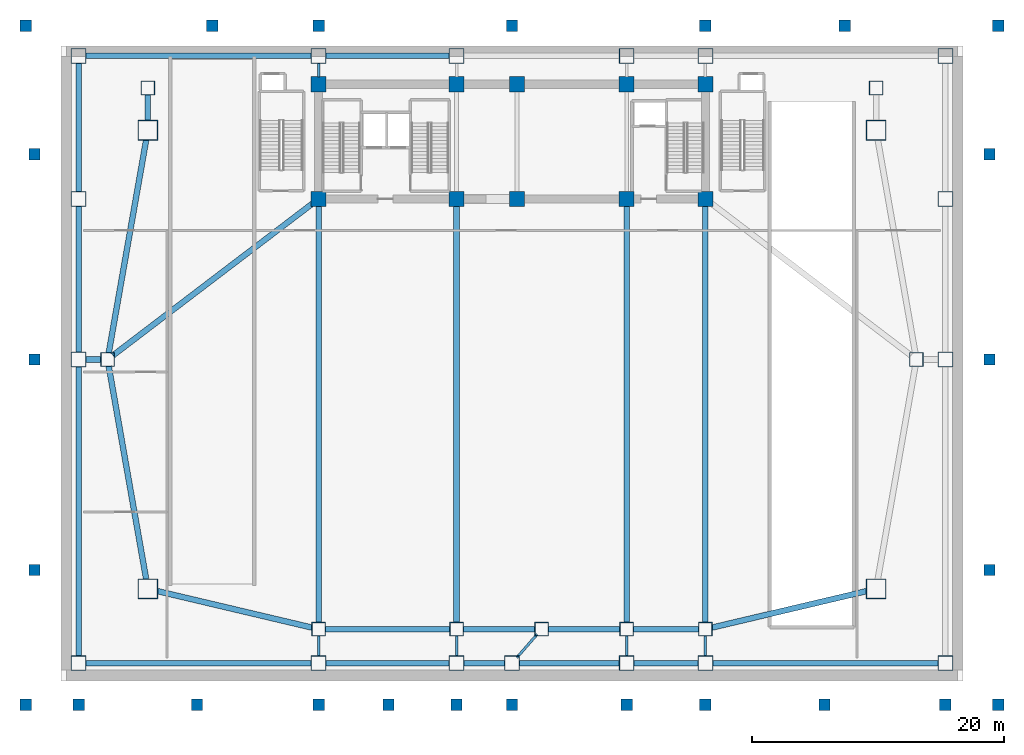
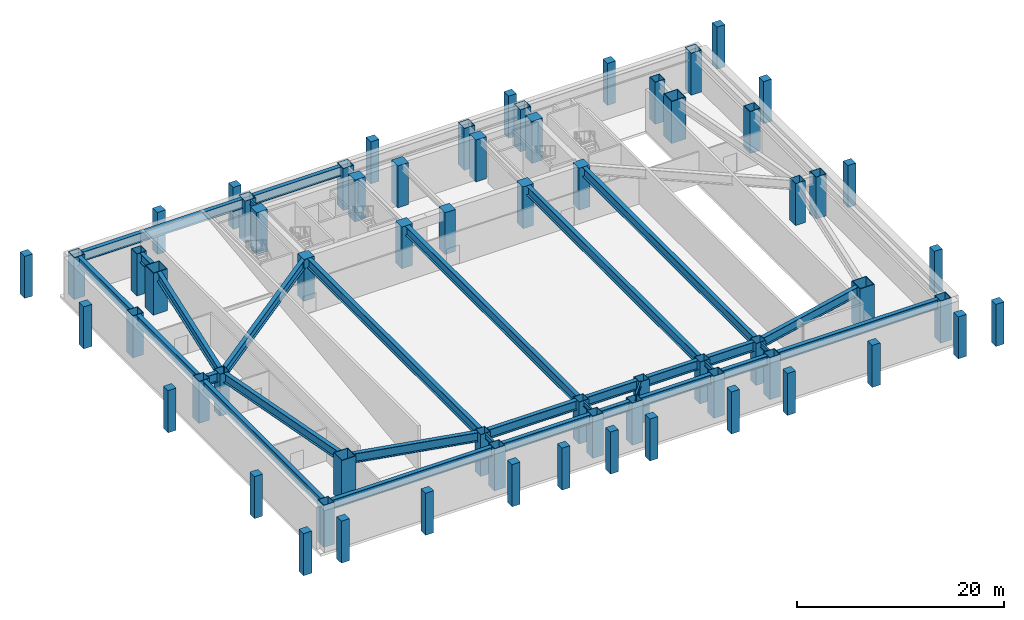
# One storey, part 1 of 6: 65 columns, 32 beams.
"""IFC4 building model written with IfcOpenShell, lengths in metres."""

from ifc_helpers import new_model, si_unit, direction, frame, origin, origin_2d, place, context, subcontext, project, spatial, rectangle, hollow_rectangle, i_section, extrude, source, transform, mapped, material, material_profile, profile_set, type_object, element, save


model = new_model("IFC4")

# Units and contexts
model_context = context("Model", 3, precision=1e-05, world=origin(), true_north=direction((0.0, 1.0)))
body_context = subcontext(model_context, "Body", "Model", "MODEL_VIEW")
ifc_project = project(units=[si_unit("LENGTHUNIT", "METRE"), si_unit("AREAUNIT", "SQUARE_METRE"), si_unit("VOLUMEUNIT", "CUBIC_METRE"), si_unit("PLANEANGLEUNIT", "RADIAN"), si_unit("MASSUNIT", "GRAM", prefix="KILO")], contexts=[model_context])

# Site, building, storey
site_placement = place(None, origin())
site = spatial("IfcSite", under=ifc_project, at=site_placement, CompositionType="ELEMENT")
building_placement = place(site_placement, origin())
building = spatial("IfcBuilding", under=site, at=building_placement, Name="Giltprow Tower", CompositionType="ELEMENT")
storey_placement = place(building_placement, frame((0.0, 0.0, -5.199951171875)))
storey = spatial("IfcBuildingStorey", under=building, at=storey_placement, Name="B01", CompositionType="ELEMENT", Elevation=-5.199951171875)

# Columns
ifc_material_1 = material(Name="Concrete C45", Category="concrete")
ifc_material_profile_1 = material_profile(ifc_material_1, rectangle(XDim=0.89990234375, YDim=0.89990234375, at=origin_2d()), Name="RC 900x900")
ifc_profile_set_1 = profile_set([ifc_material_profile_1], Name="Concrete C45")
column_type_1 = type_object("IfcColumnType", Name="PIL-PIER-RC800", PredefinedType="PILASTER", material=ifc_profile_set_1)
shared_shape_1 = source(origin(), body_context, "Body", "SweptSolid", [
    extrude(rectangle(XDim=0.89990234375, YDim=0.89990234375, at=origin_2d()), origin(), (0.0, 0.0, 1.0), 4.9599609375),
])
for number, where, z_axis, x_axis, name in (
    (1, (-3.39990234375, -2.699951171875, 0.0), (0.0, 0.0, 1.0), (1.0, 0.0, 0.0), "Promenade Grade Pier B01-01"),
    (2, (0.800048828125, -2.699951171875, 0.0), (0.0, 0.0, 1.0), (1.0, 0.0, 0.0), "Promenade Grade Pier B01-02"),
    (3, (10.199951171875, -2.699951171875, 0.0), (0.0, 0.0, 1.0), (1.0, 0.0, 0.0), "Promenade Grade Pier B01-03"),
    (4, (19.85009765625, -2.699951171875, 0.0), (0.0, 0.0, 1.0), (1.0, 0.0, 0.0), "Promenade Grade Pier B01-04"),
    (5, (25.39990234375, -2.699951171875, 0.0), (0.0, 0.0, 1.0), (1.0, 0.0, 0.0), "Promenade Grade Pier B01-05"),
    (6, (30.800048828125, -2.699951171875, 0.0), (0.0, 0.0, 1.0), (1.0, 0.0, 0.0), "Promenade Grade Pier B01-06"),
    (7, (35.199951171875, -2.699951171875, 0.0), (0.0, 0.0, 1.0), (1.0, 0.0, 0.0), "Promenade Grade Pier B01-07"),
    (8, (44.300048828125, -2.699951171875, 0.0), (0.0, 0.0, 1.0), (1.0, 0.0, 0.0), "Promenade Grade Pier B01-08"),
    (9, (50.550048828125, -2.699951171875, 0.0), (0.0, 0.0, 1.0), (1.0, 0.0, 0.0), "Promenade Grade Pier B01-09"),
    (10, (60.0, -2.699951171875, 0.0), (0.0, 0.0, 1.0), (1.0, 0.0, 0.0), "Promenade Grade Pier B01-10"),
    (11, (69.60009765625, -2.699951171875, 0.0), (0.0, 0.0, 1.0), (1.0, 0.0, 0.0), "Promenade Grade Pier B01-11"),
    (12, (73.800048828125, -2.699951171875, 0.0), (0.0, 0.0, 1.0), (1.0, 0.0, 0.0), "Promenade Grade Pier B01-12"),
    (13, (-2.699951171875, 8.0, 0.0), (0.0, 0.0, 1.0), (1.0, 0.0, 0.0), "W Apron Pier B01-1"),
    (14, (-2.699951171875, 24.699951171875, 0.0), (0.0, 0.0, 1.0), (1.0, 0.0, 0.0), "W Apron Pier B01-2"),
    (15, (-2.699951171875, 41.0, 0.0), (0.0, 0.0, 1.0), (1.0, 0.0, 0.0), "W Apron Pier B01-3"),
    (16, (73.10009765625, 8.0, 0.0), (0.0, 0.0, 1.0), (1.0, 0.0, 0.0), "E Apron Pier B01-1"),
    (17, (73.10009765625, 24.699951171875, 0.0), (0.0, 0.0, 1.0), (1.0, 0.0, 0.0), "E Apron Pier B01-2"),
    (18, (73.10009765625, 41.0, 0.0), (0.0, 0.0, 1.0), (1.0, 0.0, 0.0), "E Apron Pier B01-3"),
    (19, (-3.39990234375, 51.199951171875, 0.0), (0.0, 0.0, 1.0), (1.0, 0.0, 0.0), "North Apron Pier B01-01"),
    (20, (11.39990234375, 51.199951171875, 0.0), (0.0, 0.0, 1.0), (1.0, 0.0, 0.0), "North Apron Pier B01-02"),
    (21, (19.85009765625, 51.199951171875, 0.0), (0.0, 0.0, 1.0), (1.0, 0.0, 0.0), "North Apron Pier B01-03"),
    (22, (35.199951171875, 51.199951171875, 0.0), (0.0, 0.0, 1.0), (1.0, 0.0, 0.0), "North Apron Pier B01-04"),
    (23, (50.550048828125, 51.199951171875, 0.0), (0.0, 0.0, 1.0), (1.0, 0.0, 0.0), "North Apron Pier B01-05"),
    (24, (61.60009765625, 51.199951171875, 0.0), (0.0, 0.0, 1.0), (1.0, 0.0, 0.0), "North Apron Pier B01-06"),
    (25, (73.800048828125, 51.199951171875, 0.0), (0.0, 0.0, 1.0), (1.0, 0.0, 0.0), "North Apron Pier B01-07"),
):
    element("IfcColumn", number, at=place(storey_placement, frame(where, z_axis=z_axis, x_axis=x_axis)), inside=storey, type_object=column_type_1, Name=name, PredefinedType="PILASTER", context=body_context, shape_type="MappedRepresentation", body=[
        mapped(shared_shape_1, transform((0.0, 0.0, 0.0), x_axis=(1.0, 0.0, 0.0), y_axis=(0.0, 1.0, 0.0), z_axis=(0.0, 0.0, 1.0), scale=1.0)),
    ])
ifc_material_2 = material(Name="Concrete C60", Category="concrete")
ifc_material_profile_2 = material_profile(ifc_material_2, rectangle(XDim=1.199951171875, YDim=1.199951171875, at=origin_2d()), Name="RC 1200x1200")
ifc_profile_set_2 = profile_set([ifc_material_profile_2], Name="Concrete C60")
column_type_2 = type_object("IfcColumnType", Name="PIL-RC-1200-C60", PredefinedType="PILASTER", material=ifc_profile_set_2)
shared_shape_2 = source(origin(), body_context, "Body", "SweptSolid", [
    extrude(rectangle(XDim=1.199951171875, YDim=1.199951171875, at=origin_2d()), origin(), (0.0, 0.0, 1.0), 4.93994140625),
])
for number, where, z_axis, x_axis, name in (
    (26, (19.85009765625, 37.449951171875, 0.0), (0.0, 0.0, 1.0), (1.0, 0.0, 0.0), "B01 Core Boundary Pilaster 1-1"),
    (27, (19.85009765625, 46.550048828125, 0.0), (0.0, 0.0, 1.0), (1.0, 0.0, 0.0), "B01 Core Boundary Pilaster 1-2"),
    (28, (30.800048828125, 37.449951171875, 0.0), (0.0, 0.0, 1.0), (1.0, 0.0, 0.0), "B01 Core Boundary Pilaster 2-1"),
    (29, (30.800048828125, 46.550048828125, 0.0), (0.0, 0.0, 1.0), (1.0, 0.0, 0.0), "B01 Core Boundary Pilaster 2-2"),
    (30, (35.60009765625, 37.449951171875, 0.0), (0.0, 0.0, 1.0), (1.0, 0.0, 0.0), "B01 Core Boundary Pilaster 3-1"),
    (31, (35.60009765625, 46.550048828125, 0.0), (0.0, 0.0, 1.0), (1.0, 0.0, 0.0), "B01 Core Boundary Pilaster 3-2"),
    (32, (44.300048828125, 37.449951171875, 0.0), (0.0, 0.0, 1.0), (1.0, 0.0, 0.0), "B01 Core Boundary Pilaster 4-1"),
    (33, (44.300048828125, 46.550048828125, 0.0), (0.0, 0.0, 1.0), (1.0, 0.0, 0.0), "B01 Core Boundary Pilaster 4-2"),
    (34, (50.550048828125, 37.449951171875, 0.0), (0.0, 0.0, 1.0), (1.0, 0.0, 0.0), "B01 Core Boundary Pilaster 5-1"),
    (35, (50.550048828125, 46.550048828125, 0.0), (0.0, 0.0, 1.0), (1.0, 0.0, 0.0), "B01 Core Boundary Pilaster 5-2"),
):
    element("IfcColumn", number, at=place(storey_placement, frame(where, z_axis=z_axis, x_axis=x_axis)), inside=storey, type_object=column_type_2, Name=name, PredefinedType="PILASTER", context=body_context, shape_type="MappedRepresentation", body=[
        mapped(shared_shape_2, transform((0.0, 0.0, 0.0), x_axis=(1.0, 0.0, 0.0), y_axis=(0.0, 1.0, 0.0), z_axis=(0.0, 0.0, 1.0), scale=1.0)),
    ])
ifc_material_3 = material(Name="Structural steel Q420GJC", Category="steel")
ifc_material_profile_3 = material_profile(ifc_material_3, hollow_rectangle(XDim=1.60009765625, YDim=1.60009765625, WallThickness=0.074951171875, at=origin_2d()), Name="BOX 1600x1600x75")
ifc_profile_set_3 = profile_set([ifc_material_profile_3], Name="Structural steel Q420GJC")
column_type_3 = type_object("IfcColumnType", Name="COL-BOX-1600x1600x75", PredefinedType="COLUMN", material=ifc_profile_set_3)
shared_shape_3 = source(origin(), body_context, "Body", "SweptSolid", [
    extrude(hollow_rectangle(XDim=1.60009765625, YDim=1.60009765625, WallThickness=0.074951171875, at=origin_2d()), origin(), (0.0, 0.0, 1.0), 4.93994140625),
])
for number, where, z_axis, x_axis, name in (
    (36, (6.300048828125, 6.5, 0.0), (0.0, 0.0, 1.0), (1.0, 0.0, 0.0), "B01 Continuous Tower Column MC_SW"),
    (37, (64.10009765625, 6.5, 0.0), (0.0, 0.0, 1.0), (1.0, 0.0, 0.0), "B01 Continuous Tower Column MC_SE"),
    (38, (6.300048828125, 42.89990234375, 0.0), (0.0, 0.0, 1.0), (1.0, 0.0, 0.0), "B01 Continuous Tower Column MC_NW"),
    (39, (64.10009765625, 42.89990234375, 0.0), (0.0, 0.0, 1.0), (1.0, 0.0, 0.0), "B01 Continuous Tower Column MC_NE"),
):
    element("IfcColumn", number, at=place(storey_placement, frame(where, z_axis=z_axis, x_axis=x_axis)), inside=storey, type_object=column_type_3, Name=name, PredefinedType="COLUMN", context=body_context, shape_type="MappedRepresentation", body=[
        mapped(shared_shape_3, transform((0.0, 0.0, 0.0), x_axis=(1.0, 0.0, 0.0), y_axis=(0.0, 1.0, 0.0), z_axis=(0.0, 0.0, 1.0), scale=1.0)),
    ])
ifc_material_profile_4 = material_profile(ifc_material_3, hollow_rectangle(XDim=1.10009765625, YDim=1.10009765625, WallThickness=0.050048828125, at=origin_2d()), Name="BOX 1100x1100x50")
ifc_profile_set_4 = profile_set([ifc_material_profile_4], Name="Structural steel Q420GJC")
column_type_4 = type_object("IfcColumnType", Name="COL-BOX-1100x1100x50", PredefinedType="COLUMN", material=ifc_profile_set_4)
shared_shape_4 = source(origin(), body_context, "Body", "SweptSolid", [
    extrude(hollow_rectangle(XDim=1.10009765625, YDim=1.10009765625, WallThickness=0.050048828125, at=origin_2d()), origin(), (0.0, 0.0, 1.0), 4.93994140625),
])
for number, where, z_axis, x_axis, name in (
    (40, (19.85009765625, 3.300048828125, 0.0), (0.0, 0.0, 1.0), (1.0, 0.0, 0.0), "B01 Continuous Tower Column S1"),
    (41, (30.800048828125, 3.300048828125, 0.0), (0.0, 0.0, 1.0), (1.0, 0.0, 0.0), "B01 Continuous Tower Column S2"),
    (42, (37.550048828125, 3.300048828125, 0.0), (0.0, 0.0, 1.0), (1.0, 0.0, 0.0), "B01 Continuous Tower Column S_MID"),
    (43, (44.300048828125, 3.300048828125, 0.0), (0.0, 0.0, 1.0), (1.0, 0.0, 0.0), "B01 Continuous Tower Column S3"),
    (44, (50.550048828125, 3.300048828125, 0.0), (0.0, 0.0, 1.0), (1.0, 0.0, 0.0), "B01 Continuous Tower Column S4"),
    (45, (3.10009765625, 24.699951171875, 0.0), (0.0, 0.0, 1.0), (1.0, 0.0, 0.0), "B01 Continuous Tower Column W_MID"),
    (46, (67.300048828125, 24.699951171875, 0.0), (0.0, 0.0, 1.0), (1.0, 0.0, 0.0), "B01 Continuous Tower Column E_MID"),
    (47, (6.300048828125, 46.25, 0.0), (0.0, 0.0, 1.0), (1.0, 0.0, 0.0), "B01 Continuous Tower Column N_W"),
    (48, (64.10009765625, 46.25, 0.0), (0.0, 0.0, 1.0), (1.0, 0.0, 0.0), "B01 Continuous Tower Column N_E"),
):
    element("IfcColumn", number, at=place(storey_placement, frame(where, z_axis=z_axis, x_axis=x_axis)), inside=storey, type_object=column_type_4, Name=name, PredefinedType="COLUMN", context=body_context, shape_type="MappedRepresentation", body=[
        mapped(shared_shape_4, transform((0.0, 0.0, 0.0), x_axis=(1.0, 0.0, 0.0), y_axis=(0.0, 1.0, 0.0), z_axis=(0.0, 0.0, 1.0), scale=1.0)),
    ])
ifc_material_profile_5 = material_profile(ifc_material_3, hollow_rectangle(XDim=1.199951171875, YDim=1.199951171875, WallThickness=0.054931640625, at=origin_2d()), Name="BOX 1200x1200x55")
ifc_profile_set_5 = profile_set([ifc_material_profile_5], Name="Structural steel Q420GJC")
column_type_5 = type_object("IfcColumnType", Name="COL-BOX-1200x1200x55", PredefinedType="COLUMN", material=ifc_profile_set_5)
shared_shape_5 = source(origin(), body_context, "Body", "SweptSolid", [
    extrude(hollow_rectangle(XDim=1.199951171875, YDim=1.199951171875, WallThickness=0.054931640625, at=origin_2d()), origin(), (0.0, 0.0, 1.0), 4.93994140625),
])
for number, where, z_axis, x_axis, name in (
    (49, (0.800048828125, 0.60009765625, 0.0), (0.0, 0.0, 1.0), (1.0, 0.0, 0.0), "B01 Podium Column (0.8,0.6)"),
    (50, (19.85009765625, 0.60009765625, 0.0), (0.0, 0.0, 1.0), (1.0, 0.0, 0.0), "B01 Podium Column (19.9,0.6)"),
    (51, (30.800048828125, 0.60009765625, 0.0), (0.0, 0.0, 1.0), (1.0, 0.0, 0.0), "B01 Podium Column (30.8,0.6)"),
    (52, (35.199951171875, 0.60009765625, 0.0), (0.0, 0.0, 1.0), (1.0, 0.0, 0.0), "B01 Podium Column (35.2,0.6)"),
    (53, (44.300048828125, 0.60009765625, 0.0), (0.0, 0.0, 1.0), (1.0, 0.0, 0.0), "B01 Podium Column (44.3,0.6)"),
    (54, (50.550048828125, 0.60009765625, 0.0), (0.0, 0.0, 1.0), (1.0, 0.0, 0.0), "B01 Podium Column (50.5,0.6)"),
    (55, (69.60009765625, 0.60009765625, 0.0), (0.0, 0.0, 1.0), (1.0, 0.0, 0.0), "B01 Podium Column (69.6,0.6)"),
    (56, (0.800048828125, 24.699951171875, 0.0), (0.0, 0.0, 1.0), (1.0, 0.0, 0.0), "B01 Podium Column (0.8,24.7)"),
    (57, (69.60009765625, 24.699951171875, 0.0), (0.0, 0.0, 1.0), (1.0, 0.0, 0.0), "B01 Podium Column (69.6,24.7)"),
    (58, (0.800048828125, 37.449951171875, 0.0), (0.0, 0.0, 1.0), (1.0, 0.0, 0.0), "B01 Podium Column (0.8,37.5)"),
    (59, (69.60009765625, 37.449951171875, 0.0), (0.0, 0.0, 1.0), (1.0, 0.0, 0.0), "B01 Podium Column (69.6,37.5)"),
    (60, (0.800048828125, 48.800048828125, 0.0), (0.0, 0.0, 1.0), (1.0, 0.0, 0.0), "B01 Podium Column (0.8,48.8)"),
    (61, (19.85009765625, 48.800048828125, 0.0), (0.0, 0.0, 1.0), (1.0, 0.0, 0.0), "B01 Podium Column (19.9,48.8)"),
    (62, (30.800048828125, 48.800048828125, 0.0), (0.0, 0.0, 1.0), (1.0, 0.0, 0.0), "B01 Podium Column (30.8,48.8)"),
    (63, (44.300048828125, 48.800048828125, 0.0), (0.0, 0.0, 1.0), (1.0, 0.0, 0.0), "B01 Podium Column (44.3,48.8)"),
    (64, (50.550048828125, 48.800048828125, 0.0), (0.0, 0.0, 1.0), (1.0, 0.0, 0.0), "B01 Podium Column (50.5,48.8)"),
    (65, (69.60009765625, 48.800048828125, 0.0), (0.0, 0.0, 1.0), (1.0, 0.0, 0.0), "B01 Podium Column (69.6,48.8)"),
):
    element("IfcColumn", number, at=place(storey_placement, frame(where, z_axis=z_axis, x_axis=x_axis)), inside=storey, type_object=column_type_5, Name=name, PredefinedType="COLUMN", context=body_context, shape_type="MappedRepresentation", body=[
        mapped(shared_shape_5, transform((0.0, 0.0, 0.0), x_axis=(1.0, 0.0, 0.0), y_axis=(0.0, 1.0, 0.0), z_axis=(0.0, 0.0, 1.0), scale=1.0)),
    ])

# Beams
ifc_material_profile_6 = material_profile(ifc_material_3, i_section(OverallWidth=0.449951171875, OverallDepth=1.10009765625, WebThickness=0.02587890625, FlangeThickness=0.0419921875, at=origin_2d()), Name="WH 1100x450x26x42")
ifc_profile_set_6 = profile_set([ifc_material_profile_6], Name="Structural steel Q420GJC")
beam_type_1 = type_object("IfcBeamType", Name="BM-GIRD-WH1100", PredefinedType="BEAM", material=ifc_profile_set_6)
shared_shape_6 = source(origin(), body_context, "Body", "SweptSolid", [
    extrude(i_section(OverallWidth=0.449951171875, OverallDepth=1.10009765625, WebThickness=0.02587890625, FlangeThickness=0.0419921875, at=origin_2d()), origin(), (0.0, 0.0, 1.0), 17.8798828125),
])
for number, where, z_axis, x_axis, name in (
    (66, (1.385009765625, 0.60009765625, 4.389892578125), (1.0, 0.0, 0.0), (0.0, 1.0, 0.0), "B01 Podium South Edge Girder"),
    (67, (51.135009765625, 0.60009765625, 4.389892578125), (1.0, 0.0, 0.0), (0.0, 1.0, 0.0), "B01 Podium South Edge Girder"),
    (68, (1.385009765625, 48.800048828125, 4.389892578125), (1.0, 0.0, 0.0), (0.0, 1.0, 0.0), "B01 Podium North Edge Girder"),
):
    element("IfcBeam", number, at=place(storey_placement, frame(where, z_axis=z_axis, x_axis=x_axis)), inside=storey, type_object=beam_type_1, Name=name, PredefinedType="BEAM", context=body_context, shape_type="MappedRepresentation", body=[
        mapped(shared_shape_6, transform((0.0, 0.0, 0.0), x_axis=(1.0, 0.0, 0.0), y_axis=(0.0, 1.0, 0.0), z_axis=(0.0, 0.0, 1.0), scale=1.0)),
    ])
shared_shape_7 = source(origin(), body_context, "Body", "SweptSolid", [
    extrude(i_section(OverallWidth=0.449951171875, OverallDepth=1.10009765625, WebThickness=0.02587890625, FlangeThickness=0.0419921875, at=origin_2d()), origin(), (0.0, 0.0, 1.0), 9.780029296875),
])
for number, where, z_axis, x_axis, name in (
    (69, (20.43505859375, 0.60009765625, 4.389892578125), (1.0, 0.0, 0.0), (0.0, 1.0, 0.0), "B01 Podium South Edge Girder"),
    (70, (20.43505859375, 48.800048828125, 4.389892578125), (1.0, 0.0, 0.0), (0.0, 1.0, 0.0), "B01 Podium North Edge Girder"),
):
    element("IfcBeam", number, at=place(storey_placement, frame(where, z_axis=z_axis, x_axis=x_axis)), inside=storey, type_object=beam_type_1, Name=name, PredefinedType="BEAM", context=body_context, shape_type="MappedRepresentation", body=[
        mapped(shared_shape_7, transform((0.0, 0.0, 0.0), x_axis=(1.0, 0.0, 0.0), y_axis=(0.0, 1.0, 0.0), z_axis=(0.0, 0.0, 1.0), scale=1.0)),
    ])
shared_shape_8 = source(origin(), body_context, "Body", "SweptSolid", [
    extrude(i_section(OverallWidth=0.449951171875, OverallDepth=1.10009765625, WebThickness=0.02587890625, FlangeThickness=0.0419921875, at=origin_2d()), origin(), (0.0, 0.0, 1.0), 3.22998046875),
])
beam_1_placement = place(storey_placement, frame((31.385009765625, 0.60009765625, 4.389892578125), z_axis=(1.0, 0.0, 0.0), x_axis=(0.0, 1.0, 0.0)))
element("IfcBeam", 71, at=beam_1_placement, inside=storey, type_object=beam_type_1, Name="B01 Podium South Edge Girder", PredefinedType="BEAM", context=body_context, shape_type="MappedRepresentation", body=[
    mapped(shared_shape_8, transform((0.0, 0.0, 0.0), x_axis=(1.0, 0.0, 0.0), y_axis=(0.0, 1.0, 0.0), z_axis=(0.0, 0.0, 1.0), scale=1.0)),
])
shared_shape_9 = source(origin(), body_context, "Body", "SweptSolid", [
    extrude(i_section(OverallWidth=0.449951171875, OverallDepth=1.10009765625, WebThickness=0.02587890625, FlangeThickness=0.0419921875, at=origin_2d()), origin(), (0.0, 0.0, 1.0), 7.93017578125),
])
beam_2_placement = place(storey_placement, frame((35.784912109375, 0.60009765625, 4.389892578125), z_axis=(1.0, 0.0, 0.0), x_axis=(0.0, 1.0, 0.0)))
element("IfcBeam", 72, at=beam_2_placement, inside=storey, type_object=beam_type_1, Name="B01 Podium South Edge Girder", PredefinedType="BEAM", context=body_context, shape_type="MappedRepresentation", body=[
    mapped(shared_shape_9, transform((0.0, 0.0, 0.0), x_axis=(1.0, 0.0, 0.0), y_axis=(0.0, 1.0, 0.0), z_axis=(0.0, 0.0, 1.0), scale=1.0)),
])
shared_shape_10 = source(origin(), body_context, "Body", "SweptSolid", [
    extrude(i_section(OverallWidth=0.449951171875, OverallDepth=1.10009765625, WebThickness=0.02587890625, FlangeThickness=0.0419921875, at=origin_2d()), origin(), (0.0, 0.0, 1.0), 5.080078125),
])
beam_3_placement = place(storey_placement, frame((44.885009765625, 0.60009765625, 4.389892578125), z_axis=(1.0, 0.0, 0.0), x_axis=(0.0, 1.0, 0.0)))
element("IfcBeam", 73, at=beam_3_placement, inside=storey, type_object=beam_type_1, Name="B01 Podium South Edge Girder", PredefinedType="BEAM", context=body_context, shape_type="MappedRepresentation", body=[
    mapped(shared_shape_10, transform((0.0, 0.0, 0.0), x_axis=(1.0, 0.0, 0.0), y_axis=(0.0, 1.0, 0.0), z_axis=(0.0, 0.0, 1.0), scale=1.0)),
])
shared_shape_11 = source(origin(), body_context, "Body", "SweptSolid", [
    extrude(i_section(OverallWidth=0.449951171875, OverallDepth=1.10009765625, WebThickness=0.02587890625, FlangeThickness=0.0419921875, at=origin_2d()), origin(), (0.0, 0.0, 1.0), 22.929931640625),
])
beam_4_placement = place(storey_placement, frame((0.800048828125, 1.18505859375, 4.389892578125), z_axis=(0.0, 1.0, 0.0), x_axis=(-1.0, 0.0, 0.0)))
element("IfcBeam", 74, at=beam_4_placement, inside=storey, type_object=beam_type_1, Name="B01 Podium Side Girder", PredefinedType="BEAM", context=body_context, shape_type="MappedRepresentation", body=[
    mapped(shared_shape_11, transform((0.0, 0.0, 0.0), x_axis=(1.0, 0.0, 0.0), y_axis=(0.0, 1.0, 0.0), z_axis=(0.0, 0.0, 1.0), scale=1.0)),
])
shared_shape_12 = source(origin(), body_context, "Body", "SweptSolid", [
    extrude(i_section(OverallWidth=0.449951171875, OverallDepth=1.10009765625, WebThickness=0.02587890625, FlangeThickness=0.0419921875, at=origin_2d()), origin(), (0.0, 0.0, 1.0), 11.580078125),
])
beam_5_placement = place(storey_placement, frame((0.800048828125, 25.284912109375, 4.389892578125), z_axis=(0.0, 1.0, 0.0), x_axis=(-1.0, 0.0, 0.0)))
element("IfcBeam", 75, at=beam_5_placement, inside=storey, type_object=beam_type_1, Name="B01 Podium Side Girder", PredefinedType="BEAM", context=body_context, shape_type="MappedRepresentation", body=[
    mapped(shared_shape_12, transform((0.0, 0.0, 0.0), x_axis=(1.0, 0.0, 0.0), y_axis=(0.0, 1.0, 0.0), z_axis=(0.0, 0.0, 1.0), scale=1.0)),
])
shared_shape_13 = source(origin(), body_context, "Body", "SweptSolid", [
    extrude(i_section(OverallWidth=0.449951171875, OverallDepth=1.10009765625, WebThickness=0.02587890625, FlangeThickness=0.0419921875, at=origin_2d()), origin(), (0.0, 0.0, 1.0), 10.18017578125),
])
beam_6_placement = place(storey_placement, frame((0.800048828125, 38.034912109375, 4.389892578125), z_axis=(0.0, 1.0, 0.0), x_axis=(-1.0, 0.0, 0.0)))
element("IfcBeam", 76, at=beam_6_placement, inside=storey, type_object=beam_type_1, Name="B01 Podium Side Girder", PredefinedType="BEAM", context=body_context, shape_type="MappedRepresentation", body=[
    mapped(shared_shape_13, transform((0.0, 0.0, 0.0), x_axis=(1.0, 0.0, 0.0), y_axis=(0.0, 1.0, 0.0), z_axis=(0.0, 0.0, 1.0), scale=1.0)),
])
shared_shape_14 = source(origin(), body_context, "Body", "SweptSolid", [
    extrude(i_section(OverallWidth=0.449951171875, OverallDepth=1.10009765625, WebThickness=0.02587890625, FlangeThickness=0.0419921875, at=origin_2d()), origin(), (0.0, 0.0, 1.0), 12.6025390625),
])
beam_7_placement = place(storey_placement, frame((7.06396484375, 6.320068359375, 4.389892578125), z_axis=(0.973221185684, -0.22987066741, 0.0), x_axis=(0.22987066741, 0.973221185684, 0.0)))
element("IfcBeam", 77, at=beam_7_placement, inside=storey, type_object=beam_type_1, Name="B01 Tower Base Ring Girder 1", PredefinedType="BEAM", context=body_context, shape_type="MappedRepresentation", body=[
    mapped(shared_shape_14, transform((0.0, 0.0, 0.0), x_axis=(1.0, 0.0, 0.0), y_axis=(0.0, 1.0, 0.0), z_axis=(0.0, 0.0, 1.0), scale=1.0)),
])
shared_shape_15 = source(origin(), body_context, "Body", "SweptSolid", [
    extrude(i_section(OverallWidth=0.449951171875, OverallDepth=1.10009765625, WebThickness=0.02587890625, FlangeThickness=0.0419921875, at=origin_2d()), origin(), (0.0, 0.0, 1.0), 9.8798828125),
])
beam_8_placement = place(storey_placement, frame((20.385009765625, 3.300048828125, 4.389892578125), z_axis=(1.0, 0.0, 0.0), x_axis=(0.0, 1.0, 0.0)))
element("IfcBeam", 78, at=beam_8_placement, inside=storey, type_object=beam_type_1, Name="B01 Tower Base Ring Girder 2", PredefinedType="BEAM", context=body_context, shape_type="MappedRepresentation", body=[
    mapped(shared_shape_15, transform((0.0, 0.0, 0.0), x_axis=(1.0, 0.0, 0.0), y_axis=(0.0, 1.0, 0.0), z_axis=(0.0, 0.0, 1.0), scale=1.0)),
])
shared_shape_16 = source(origin(), body_context, "Body", "SweptSolid", [
    extrude(i_section(OverallWidth=0.449951171875, OverallDepth=1.10009765625, WebThickness=0.02587890625, FlangeThickness=0.0419921875, at=origin_2d()), origin(), (0.0, 0.0, 1.0), 5.679931640625),
])
for number, where, z_axis, x_axis, name in (
    (79, (31.3349609375, 3.300048828125, 4.389892578125), (1.0, 0.0, 0.0), (0.0, 1.0, 0.0), "B01 Tower Base Ring Girder 3"),
    (80, (38.0849609375, 3.300048828125, 4.389892578125), (1.0, 0.0, 0.0), (0.0, 1.0, 0.0), "B01 Tower Base Ring Girder 4"),
):
    element("IfcBeam", number, at=place(storey_placement, frame(where, z_axis=z_axis, x_axis=x_axis)), inside=storey, type_object=beam_type_1, Name=name, PredefinedType="BEAM", context=body_context, shape_type="MappedRepresentation", body=[
        mapped(shared_shape_16, transform((0.0, 0.0, 0.0), x_axis=(1.0, 0.0, 0.0), y_axis=(0.0, 1.0, 0.0), z_axis=(0.0, 0.0, 1.0), scale=1.0)),
    ])
shared_shape_17 = source(origin(), body_context, "Body", "SweptSolid", [
    extrude(i_section(OverallWidth=0.449951171875, OverallDepth=1.10009765625, WebThickness=0.02587890625, FlangeThickness=0.0419921875, at=origin_2d()), origin(), (0.0, 0.0, 1.0), 5.179931640625),
])
beam_9_placement = place(storey_placement, frame((44.8349609375, 3.300048828125, 4.389892578125), z_axis=(1.0, 0.0, 0.0), x_axis=(0.0, 1.0, 0.0)))
element("IfcBeam", 81, at=beam_9_placement, inside=storey, type_object=beam_type_1, Name="B01 Tower Base Ring Girder 5", PredefinedType="BEAM", context=body_context, shape_type="MappedRepresentation", body=[
    mapped(shared_shape_17, transform((0.0, 0.0, 0.0), x_axis=(1.0, 0.0, 0.0), y_axis=(0.0, 1.0, 0.0), z_axis=(0.0, 0.0, 1.0), scale=1.0)),
])
shared_shape_18 = source(origin(), body_context, "Body", "SweptSolid", [
    extrude(i_section(OverallWidth=0.449951171875, OverallDepth=1.10009765625, WebThickness=0.02587890625, FlangeThickness=0.0419921875, at=origin_2d()), origin(), (0.0, 0.0, 1.0), 12.602294921875),
])
beam_10_placement = place(storey_placement, frame((51.071044921875, 3.423095703125, 4.389892578125), z_axis=(0.973220162017, 0.229875001344, 0.0), x_axis=(-0.229875001344, 0.973220162017, 0.0)))
element("IfcBeam", 82, at=beam_10_placement, inside=storey, type_object=beam_type_1, Name="B01 Tower Base Ring Girder 6", PredefinedType="BEAM", context=body_context, shape_type="MappedRepresentation", body=[
    mapped(shared_shape_18, transform((0.0, 0.0, 0.0), x_axis=(1.0, 0.0, 0.0), y_axis=(0.0, 1.0, 0.0), z_axis=(0.0, 0.0, 1.0), scale=1.0)),
])
shared_shape_19 = source(origin(), body_context, "Body", "SweptSolid", [
    extrude(i_section(OverallWidth=0.449951171875, OverallDepth=1.10009765625, WebThickness=0.02587890625, FlangeThickness=0.0419921875, at=origin_2d()), origin(), (0.0, 0.0, 1.0), 17.1591796875),
])
beam_11_placement = place(storey_placement, frame((3.193115234375, 24.173095703125, 4.389892578125), z_axis=(0.173139216532, -0.984897360997, 0.0), x_axis=(0.984897360997, 0.173139216532, 0.0)))
element("IfcBeam", 83, at=beam_11_placement, inside=storey, type_object=beam_type_1, Name="B01 Tower Base Ring Girder 12", PredefinedType="BEAM", context=body_context, shape_type="MappedRepresentation", body=[
    mapped(shared_shape_19, transform((0.0, 0.0, 0.0), x_axis=(1.0, 0.0, 0.0), y_axis=(0.0, 1.0, 0.0), z_axis=(0.0, 0.0, 1.0), scale=1.0)),
])
shared_shape_20 = source(origin(), body_context, "Body", "SweptSolid", [
    extrude(i_section(OverallWidth=0.449951171875, OverallDepth=1.10009765625, WebThickness=0.02587890625, FlangeThickness=0.0419921875, at=origin_2d()), origin(), (0.0, 0.0, 1.0), 17.158935546875),
])
beam_12_placement = place(storey_placement, frame((6.1640625, 42.126953125, 4.389892578125), z_axis=(-0.173141642767, -0.984896934476, 0.0), x_axis=(0.984896934476, -0.173141642767, 0.0)))
element("IfcBeam", 84, at=beam_12_placement, inside=storey, type_object=beam_type_1, Name="B01 Tower Base Ring Girder 11", PredefinedType="BEAM", context=body_context, shape_type="MappedRepresentation", body=[
    mapped(shared_shape_20, transform((0.0, 0.0, 0.0), x_axis=(1.0, 0.0, 0.0), y_axis=(0.0, 1.0, 0.0), z_axis=(0.0, 0.0, 1.0), scale=1.0)),
])
shared_shape_21 = source(origin(), body_context, "Body", "SweptSolid", [
    extrude(i_section(OverallWidth=0.449951171875, OverallDepth=1.10009765625, WebThickness=0.02587890625, FlangeThickness=0.0419921875, at=origin_2d()), origin(), (0.0, 0.0, 1.0), 2.030029296875),
])
beam_13_placement = place(storey_placement, frame((6.300048828125, 45.715087890625, 4.389892578125), z_axis=(0.0, -1.0, 0.0), x_axis=(1.0, 0.0, 0.0)))
element("IfcBeam", 85, at=beam_13_placement, inside=storey, type_object=beam_type_1, Name="B01 Tower Base Ring Girder 10", PredefinedType="BEAM", context=body_context, shape_type="MappedRepresentation", body=[
    mapped(shared_shape_21, transform((0.0, 0.0, 0.0), x_axis=(1.0, 0.0, 0.0), y_axis=(0.0, 1.0, 0.0), z_axis=(0.0, 0.0, 1.0), scale=1.0)),
])
shared_shape_22 = source(origin(), body_context, "Body", "SweptSolid", [
    extrude(i_section(OverallWidth=0.449951171875, OverallDepth=1.10009765625, WebThickness=0.02587890625, FlangeThickness=0.0419921875, at=origin_2d()), origin(), (0.0, 0.0, 1.0), 33.030029296875),
])
for number, where, z_axis, x_axis, name in (
    (86, (19.85009765625, 3.8349609375, 4.389892578125), (0.0, 1.0, 0.0), (-1.0, 0.0, 0.0), "B01 Primary Podium Span Girder S1"),
    (87, (30.800048828125, 3.8349609375, 4.389892578125), (0.0, 1.0, 0.0), (-1.0, 0.0, 0.0), "B01 Primary Podium Span Girder S2"),
    (88, (44.300048828125, 3.8349609375, 4.389892578125), (0.0, 1.0, 0.0), (-1.0, 0.0, 0.0), "B01 Primary Podium Span Girder S3"),
    (89, (50.550048828125, 3.8349609375, 4.389892578125), (0.0, 1.0, 0.0), (-1.0, 0.0, 0.0), "B01 Primary Podium Span Girder S4"),
):
    element("IfcBeam", number, at=place(storey_placement, frame(where, z_axis=z_axis, x_axis=x_axis)), inside=storey, type_object=beam_type_1, Name=name, PredefinedType="BEAM", context=body_context, shape_type="MappedRepresentation", body=[
        mapped(shared_shape_22, transform((0.0, 0.0, 0.0), x_axis=(1.0, 0.0, 0.0), y_axis=(0.0, 1.0, 0.0), z_axis=(0.0, 0.0, 1.0), scale=1.0)),
    ])
ifc_material_4 = material(Name="Structural steel Q355B", Category="steel")
ifc_material_profile_7 = material_profile(ifc_material_4, i_section(OverallWidth=0.199951171875, OverallDepth=0.60009765625, WebThickness=0.010986328125, FlangeThickness=0.01708984375, at=origin_2d()), Name="HN 600x200x11x17")
ifc_profile_set_7 = profile_set([ifc_material_profile_7], Name="Structural steel Q355B")
beam_type_2 = type_object("IfcBeamType", Name="BM-GIRD-HN600", PredefinedType="BEAM", material=ifc_profile_set_7)
shared_shape_23 = source(origin(), body_context, "Body", "SweptSolid", [
    extrude(i_section(OverallWidth=0.199951171875, OverallDepth=0.60009765625, WebThickness=0.010986328125, FlangeThickness=0.01708984375, at=origin_2d()), origin(), (0.0, 0.0, 1.0), 1.579833984375),
])
for number, where, z_axis, x_axis, name in (
    (90, (19.85009765625, 1.18505859375, 4.639892578125), (0.0, 1.0, 0.0), (-1.0, 0.0, 0.0), "B01 South Perimeter Tie S1"),
    (91, (30.800048828125, 1.18505859375, 4.639892578125), (0.0, 1.0, 0.0), (-1.0, 0.0, 0.0), "B01 South Perimeter Tie S2"),
    (92, (44.300048828125, 1.18505859375, 4.639892578125), (0.0, 1.0, 0.0), (-1.0, 0.0, 0.0), "B01 South Perimeter Tie S3"),
    (93, (50.550048828125, 1.18505859375, 4.639892578125), (0.0, 1.0, 0.0), (-1.0, 0.0, 0.0), "B01 South Perimeter Tie S4"),
):
    element("IfcBeam", number, at=place(storey_placement, frame(where, z_axis=z_axis, x_axis=x_axis)), inside=storey, type_object=beam_type_2, Name=name, PredefinedType="BEAM", context=body_context, shape_type="MappedRepresentation", body=[
        mapped(shared_shape_23, transform((0.0, 0.0, 0.0), x_axis=(1.0, 0.0, 0.0), y_axis=(0.0, 1.0, 0.0), z_axis=(0.0, 0.0, 1.0), scale=1.0)),
    ])
shared_shape_24 = source(origin(), body_context, "Body", "SweptSolid", [
    extrude(i_section(OverallWidth=0.199951171875, OverallDepth=0.60009765625, WebThickness=0.010986328125, FlangeThickness=0.01708984375, at=origin_2d()), origin(), (0.0, 0.0, 1.0), 1.080078125),
])
beam_14_placement = place(storey_placement, frame((19.85009765625, 47.135009765625, 4.639892578125), z_axis=(0.0, 1.0, 0.0), x_axis=(-1.0, 0.0, 0.0)))
element("IfcBeam", 94, at=beam_14_placement, inside=storey, type_object=beam_type_2, Name="B01 North Perimeter Tie S1", PredefinedType="BEAM", context=body_context, shape_type="MappedRepresentation", body=[
    mapped(shared_shape_24, transform((0.0, 0.0, 0.0), x_axis=(1.0, 0.0, 0.0), y_axis=(0.0, 1.0, 0.0), z_axis=(0.0, 0.0, 1.0), scale=1.0)),
])
shared_shape_25 = source(origin(), body_context, "Body", "SweptSolid", [
    extrude(i_section(OverallWidth=0.199951171875, OverallDepth=0.60009765625, WebThickness=0.010986328125, FlangeThickness=0.01708984375, at=origin_2d()), origin(), (0.0, 0.0, 1.0), 2.45947265625),
])
beam_15_placement = place(storey_placement, frame((35.583984375, 1.041015625, 4.639892578125), z_axis=(0.656633245485, 0.754210037671, 0.0), x_axis=(-0.754210037671, 0.656633245485, 0.0)))
element("IfcBeam", 95, at=beam_15_placement, inside=storey, type_object=beam_type_2, Name="B01 South Mid Tie", PredefinedType="BEAM", context=body_context, shape_type="MappedRepresentation", body=[
    mapped(shared_shape_25, transform((0.0, 0.0, 0.0), x_axis=(1.0, 0.0, 0.0), y_axis=(0.0, 1.0, 0.0), z_axis=(0.0, 0.0, 1.0), scale=1.0)),
])
shared_shape_26 = source(origin(), body_context, "Body", "SweptSolid", [
    extrude(i_section(OverallWidth=0.449951171875, OverallDepth=1.10009765625, WebThickness=0.02587890625, FlangeThickness=0.0419921875, at=origin_2d()), origin(), (0.0, 0.0, 1.0), 1.179931640625),
])
beam_16_placement = place(storey_placement, frame((1.385009765625, 24.699951171875, 4.389892578125), z_axis=(1.0, 0.0, 0.0), x_axis=(0.0, 1.0, 0.0)))
element("IfcBeam", 96, at=beam_16_placement, inside=storey, type_object=beam_type_1, Name="B01 West Tie 1", PredefinedType="BEAM", context=body_context, shape_type="MappedRepresentation", body=[
    mapped(shared_shape_26, transform((0.0, 0.0, 0.0), x_axis=(1.0, 0.0, 0.0), y_axis=(0.0, 1.0, 0.0), z_axis=(0.0, 0.0, 1.0), scale=1.0)),
])
shared_shape_27 = source(origin(), body_context, "Body", "SweptSolid", [
    extrude(i_section(OverallWidth=0.449951171875, OverallDepth=1.10009765625, WebThickness=0.02587890625, FlangeThickness=0.0419921875, at=origin_2d()), origin(), (0.0, 0.0, 1.0), 19.930908203125),
])
beam_17_placement = place(storey_placement, frame((3.52587890625, 25.02392578125, 4.389892578125), z_axis=(0.795700739064, 0.605689965124, 0.0), x_axis=(-0.605689965124, 0.795700739064, 0.0)))
element("IfcBeam", 97, at=beam_17_placement, inside=storey, type_object=beam_type_1, Name="B01 West Tie 2", PredefinedType="BEAM", context=body_context, shape_type="MappedRepresentation", body=[
    mapped(shared_shape_27, transform((0.0, 0.0, 0.0), x_axis=(1.0, 0.0, 0.0), y_axis=(0.0, 1.0, 0.0), z_axis=(0.0, 0.0, 1.0), scale=1.0)),
])

save(model, "model.ifc")
